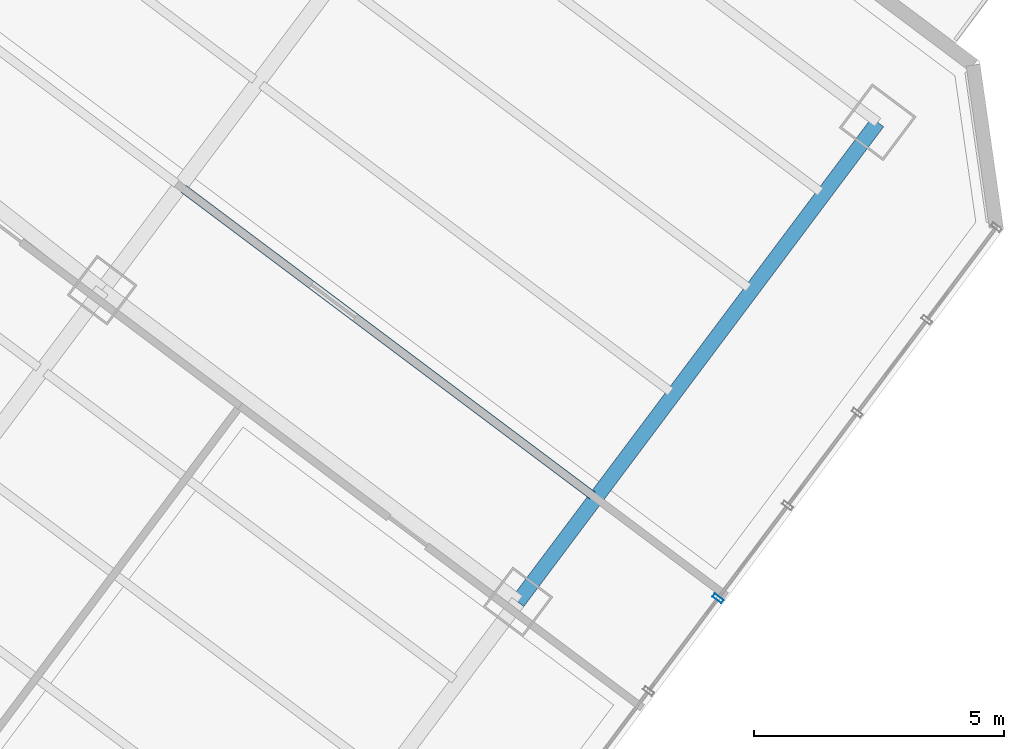
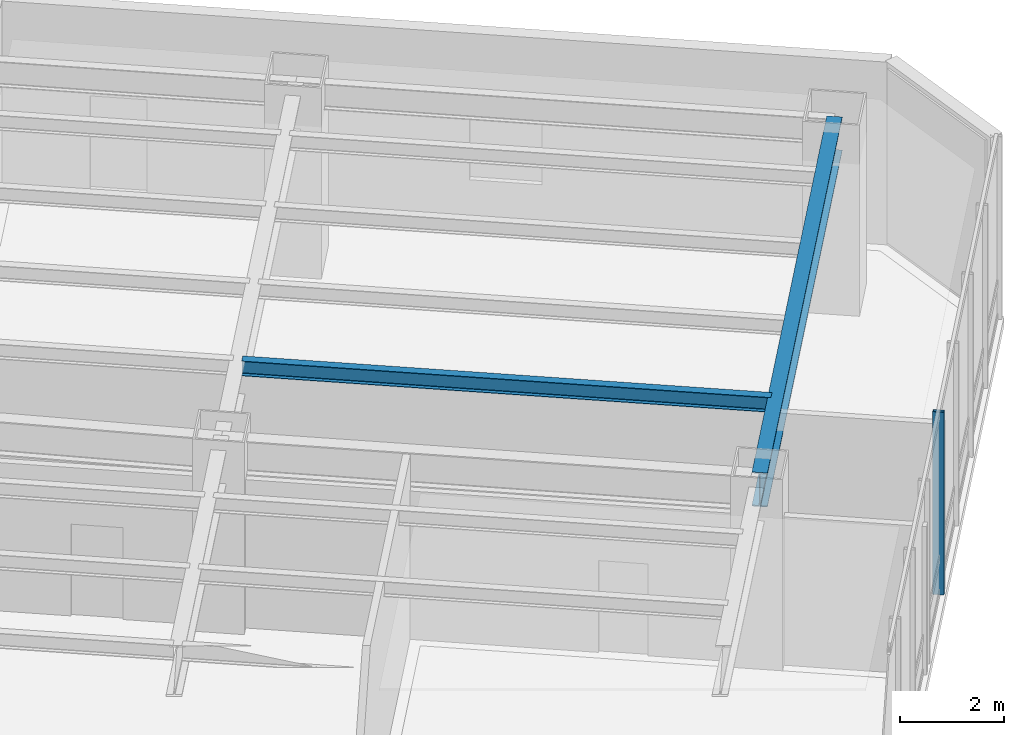
# One storey, part 8 of 29: 2 beams, 1 member, 1 element without a shape of its own.
"""IFC4 building model written with IfcOpenShell, lengths in metres."""

from ifc_helpers import new_model, si_unit, direction, frame, origin, origin_2d, place, context, subcontext, project, spatial, hollow_rectangle, i_section, extrude, material, layer, layer_set, material_profile, profile_set, type_object, element, aggregate, save


model = new_model("IFC4")

# Units and contexts
model_context = context("Model", 3, precision=1e-05, world=origin(), true_north=direction((0.0, 1.0)))
body_context = subcontext(model_context, "Body", "Model", "MODEL_VIEW")
ifc_project = project(units=[si_unit("LENGTHUNIT", "METRE"), si_unit("AREAUNIT", "SQUARE_METRE"), si_unit("VOLUMEUNIT", "CUBIC_METRE"), si_unit("PLANEANGLEUNIT", "RADIAN"), si_unit("MASSUNIT", "GRAM", prefix="KILO")], contexts=[model_context])

# Site, building, storey
site_placement = place(None, origin())
site = spatial("IfcSite", under=ifc_project, at=site_placement, CompositionType="ELEMENT")
building_placement = place(site_placement, origin())
building = spatial("IfcBuilding", under=site, at=building_placement, Name="Hatsunagi Terrace Concourse", CompositionType="ELEMENT")
storey_placement = place(building_placement, frame((0.0, 0.0, 32.10009765625)))
storey = spatial("IfcBuildingStorey", under=building, at=storey_placement, Name="L07", CompositionType="ELEMENT", Elevation=32.10009765625)

# Curtain wall, member
ifc_material_1 = material(Name="Anodised Aluminium Alloy 6063-T5", Category="aluminium")
ifc_layer = layer(ifc_material_1, 0.199951171875)
ifc_layer_set = layer_set([ifc_layer], Name="SkyLobbyAtrium_CW05")
curtain_wall_type = type_object("IfcCurtainWallType", Name="SkyLobbyAtrium_CW05", PredefinedType="NOTDEFINED", material=ifc_layer_set)
curtain_wall_placement = place(storey_placement, origin())
curtain_wall = element("IfcCurtainWall", 1, at=curtain_wall_placement, inside=storey, type_object=curtain_wall_type, Name="Unitised Curtain Wall CW-05 CW-L07-03", PredefinedType="NOTDEFINED")
ifc_material_2 = material(Name="Anodised Aluminium Alloy 6063-T5", Category="aluminium")
ifc_material_profile_1 = material_profile(ifc_material_2, hollow_rectangle(XDim=0.080078125, YDim=0.219970703125, WallThickness=0.0048828125, at=origin_2d()), Name="ALU-MUL-220x80x5")
ifc_profile_set_1 = profile_set([ifc_material_profile_1], Name="Anodised Aluminium Alloy 6063-T5")
member_type = type_object("IfcMemberType", Name="CurtainWallMullion_Heavy_220x80", PredefinedType="MULLION", material=ifc_profile_set_1)
member_placement = place(storey_placement, frame((63.52392578125, 12.23193359375, 0.0), z_axis=(0.0, 0.0, 1.0), x_axis=(-0.599969314634, -0.800023013105, 0.0)))
member = element("IfcMember", 2, at=member_placement, type_object=member_type, Name="Curtain Wall Mullion MUL-01", PredefinedType="MULLION", context=body_context, shape_type="SweptSolid", body=[
    extrude(hollow_rectangle(XDim=0.080078125, YDim=0.219970703125, WallThickness=0.0048828125, at=origin_2d()), origin(), (0.0, 0.0, 1.0), 4.27978515625),
])
aggregate(curtain_wall, [member])

# Beams
ifc_material_3 = material(Name="Steel SN490B", Category="steel")
ifc_material_profile_2 = material_profile(ifc_material_3, i_section(OverallWidth=0.175048828125, OverallDepth=0.35009765625, WebThickness=0.007080078125, FlangeThickness=0.010986328125, FilletRadius=0.012939453125, at=origin_2d()), Name="H-350x175x7x11")
ifc_profile_set_2 = profile_set([ifc_material_profile_2], Name="Steel SN490B")
beam_type_1 = type_object("IfcBeamType", Name="HotelJoist_H_350x175", PredefinedType="JOIST", material=ifc_profile_set_2)
beam_1_placement = place(storey_placement, frame((52.827880859375, 20.428955078125, 4.10498046875), z_axis=(0.800005727586, -0.599992363142, 0.0), x_axis=(0.599992363142, 0.800005727586, 0.0)))
element("IfcBeam", 3, at=beam_1_placement, inside=storey, type_object=beam_type_1, Name="Beam J-02 J-L07-SE-3-142", PredefinedType="JOIST", context=body_context, shape_type="SweptSolid", body=[
    extrude(i_section(OverallWidth=0.175048828125, OverallDepth=0.35009765625, WebThickness=0.007080078125, FlangeThickness=0.010986328125, FilletRadius=0.012939453125, at=origin_2d()), origin(), (0.0, 0.0, 1.0), 10.22998046875),
])
ifc_material_4 = material(Name="Steel SN490B", Category="steel")
ifc_material_profile_3 = material_profile(ifc_material_4, i_section(OverallWidth=0.300048828125, OverallDepth=0.800048828125, WebThickness=0.013916015625, FlangeThickness=0.02587890625, FilletRadius=0.02197265625, at=origin_2d()), Name="H-800x300x14x26")
ifc_profile_set_3 = profile_set([ifc_material_profile_3], Name="Steel SN490B")
beam_type_2 = type_object("IfcBeamType", Name="SkyLobbyGirder_H_800x300", PredefinedType="BEAM", material=ifc_profile_set_3)
beam_2_placement = place(storey_placement, frame((59.52001953125, 12.159912109375, 3.8798828125), z_axis=(0.59999348959, 0.800004882766, 0.0), x_axis=(-0.800004882766, 0.59999348959, 0.0)))
element("IfcBeam", 4, at=beam_2_placement, inside=storey, type_object=beam_type_2, Name="Beam G-03 BM-L07-SET-3B", PredefinedType="BEAM", context=body_context, shape_type="SweptSolid", body=[
    extrude(i_section(OverallWidth=0.300048828125, OverallDepth=0.800048828125, WebThickness=0.013916015625, FlangeThickness=0.02587890625, FilletRadius=0.02197265625, at=origin_2d()), origin(), (0.0, 0.0, 1.0), 12.0),
])

save(model, "model.ifc")
